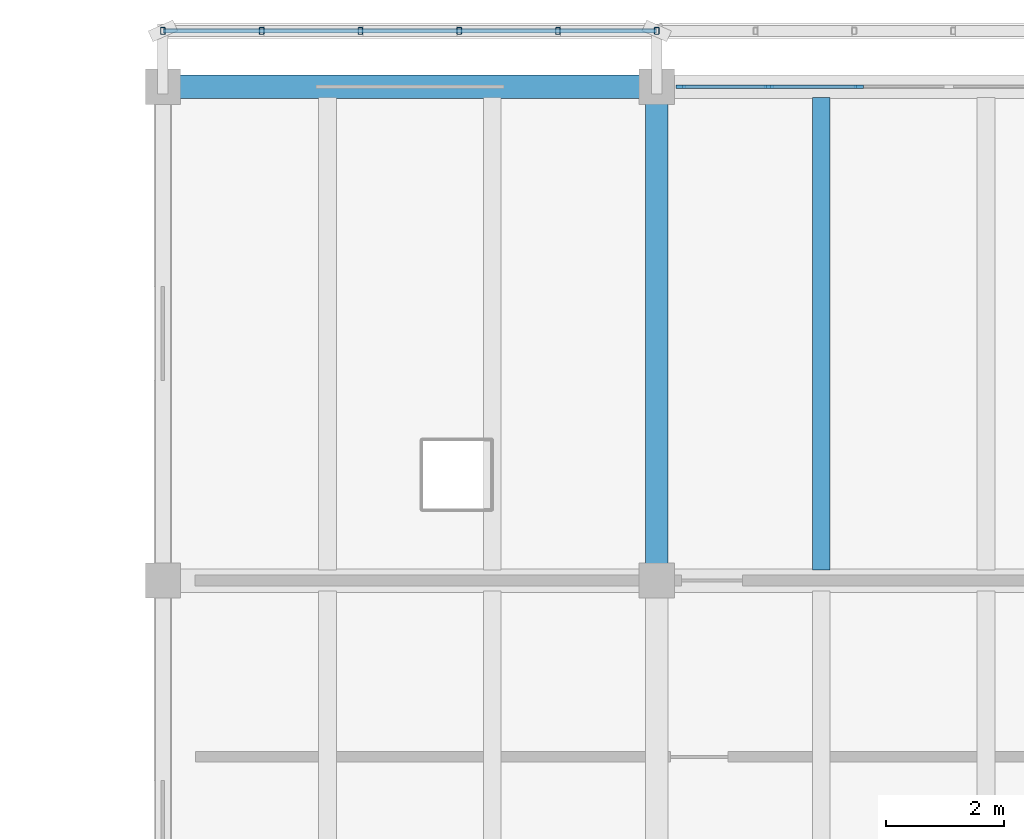
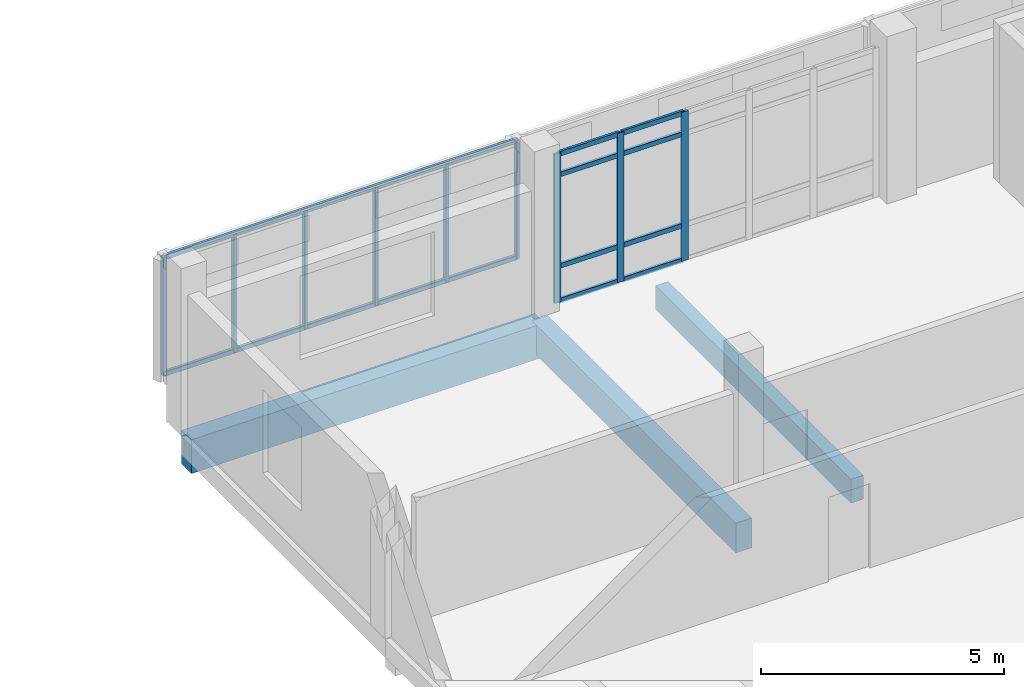
# One storey, part 49 of 137: 19 members, 3 beams, 1 element without a shape of its own.
"""IFC4 building model written with IfcOpenShell, lengths in metres."""

from ifc_helpers import new_model, si_unit, direction, frame, origin, origin_2d, place, context, subcontext, project, spatial, rectangle, hollow_rectangle, extrude, material, material_profile, profile_set, type_object, element, aggregate, save


model = new_model("IFC4")

# Units and contexts
model_context = context("Model", 3, precision=1e-05, world=origin(), true_north=direction((0.0, 1.0)))
body_context = subcontext(model_context, "Body", "Model", "MODEL_VIEW")
ifc_project = project(units=[si_unit("LENGTHUNIT", "METRE"), si_unit("AREAUNIT", "SQUARE_METRE"), si_unit("VOLUMEUNIT", "CUBIC_METRE"), si_unit("PLANEANGLEUNIT", "RADIAN"), si_unit("MASSUNIT", "GRAM", prefix="KILO")], contexts=[model_context])

# Site, building, storey
site_placement = place(None, origin())
site = spatial("IfcSite", under=ifc_project, at=site_placement, CompositionType="ELEMENT")
building_placement = place(site_placement, origin())
building = spatial("IfcBuilding", under=site, at=building_placement, Name="Cinderway Yard Community Centre", CompositionType="ELEMENT")
storey_placement = place(building_placement, frame((0.0, 0.0, 4.800048828125)))
storey = spatial("IfcBuildingStorey", under=building, at=storey_placement, Name="L01", CompositionType="ELEMENT", Elevation=4.800048828125)

# Curtain wall, members
ifc_material_1 = material(Name="Aluminium 6063-T6", Category="aluminium")
curtain_wall_type = type_object("IfcCurtainWallType", Name="ENV-CW-TYPE-26", PredefinedType="USERDEFINED", material=ifc_material_1)
curtain_wall_placement = place(storey_placement, origin())
curtain_wall = element("IfcCurtainWall", 1, at=curtain_wall_placement, inside=storey, type_object=curtain_wall_type, Name="V4 Street Curtain Wall ENV-CW-L01-ST-0123", ObjectType="GLAZED CURTAIN WALL", PredefinedType="USERDEFINED")
ifc_material_profile_1 = material_profile(ifc_material_1, rectangle(XDim=0.06005859375, YDim=0.159912109375, at=origin_2d()), Name="Aluminium 6063-T6")
ifc_profile_set_1 = profile_set([ifc_material_profile_1], Name="Aluminium 6063-T6")
member_type_1 = type_object("IfcMemberType", Name="ENV-CW-MULL-150", PredefinedType="MULLION", material=ifc_profile_set_1)
member_1_placement = place(storey_placement, frame((50.409912109375, 115.199951171875, 0.0), z_axis=(0.0, 0.0, 1.0), x_axis=(0.0, 1.0, 0.0)))
member_1 = element("IfcMember", 2, at=member_1_placement, type_object=member_type_1, Name="CW-26 mullion 1", PredefinedType="MULLION", context=body_context, shape_type="SweptSolid", body=[
    extrude(rectangle(XDim=0.06005859375, YDim=0.159912109375, at=origin_2d()), origin(), (0.0, 0.0, 1.0), 3.75),
])
member_2_placement = place(storey_placement, frame((51.907958984375, 115.199951171875, 0.0), z_axis=(0.0, 0.0, 1.0), x_axis=(0.0, 1.0, 0.0)))
member_2 = element("IfcMember", 3, at=member_2_placement, type_object=member_type_1, Name="CW-26 mullion 2", PredefinedType="MULLION", context=body_context, shape_type="SweptSolid", body=[
    extrude(rectangle(XDim=0.06005859375, YDim=0.159912109375, at=origin_2d()), origin(), (0.0, 0.0, 1.0), 3.75),
])
member_3_placement = place(storey_placement, frame((53.43603515625, 115.199951171875, 0.0), z_axis=(0.0, 0.0, 1.0), x_axis=(0.0, 1.0, 0.0)))
member_3 = element("IfcMember", 4, at=member_3_placement, type_object=member_type_1, Name="CW-26 mullion 3", PredefinedType="MULLION", context=body_context, shape_type="SweptSolid", body=[
    extrude(rectangle(XDim=0.06005859375, YDim=0.159912109375, at=origin_2d()), origin(), (0.0, 0.0, 1.0), 3.75),
])
ifc_material_profile_2 = material_profile(ifc_material_1, rectangle(XDim=0.06005859375, YDim=0.1201171875, at=origin_2d()), Name="Aluminium 6063-T6")
ifc_profile_set_2 = profile_set([ifc_material_profile_2], Name="Aluminium 6063-T6")
member_type_2 = type_object("IfcMemberType", Name="ENV-CW-TRAN-110", PredefinedType="USERDEFINED", material=ifc_profile_set_2)
member_4_placement = place(storey_placement, frame((50.43994140625, 115.199951171875, 0.030029296875), z_axis=(1.0, 0.0, 0.0), x_axis=(0.0, 1.0, 0.0)))
member_4 = element("IfcMember", 5, at=member_4_placement, type_object=member_type_2, Name="CW-26 transom 1.1", ObjectType="TRANSOM", PredefinedType="USERDEFINED", context=body_context, shape_type="SweptSolid", body=[
    extrude(rectangle(XDim=0.06005859375, YDim=0.1201171875, at=origin_2d()), origin(), (0.0, 0.0, 1.0), 1.43798828125),
])
member_5_placement = place(storey_placement, frame((50.43994140625, 115.199951171875, 0.89990234375), z_axis=(1.0, 0.0, 0.0), x_axis=(0.0, 1.0, 0.0)))
member_5 = element("IfcMember", 6, at=member_5_placement, type_object=member_type_2, Name="CW-26 transom 1.2", ObjectType="TRANSOM", PredefinedType="USERDEFINED", context=body_context, shape_type="SweptSolid", body=[
    extrude(rectangle(XDim=0.06005859375, YDim=0.1201171875, at=origin_2d()), origin(), (0.0, 0.0, 1.0), 1.43798828125),
])
member_6_placement = place(storey_placement, frame((50.43994140625, 115.199951171875, 3.199951171875), z_axis=(1.0, 0.0, 0.0), x_axis=(0.0, 1.0, 0.0)))
member_6 = element("IfcMember", 7, at=member_6_placement, type_object=member_type_2, Name="CW-26 transom 1.3", ObjectType="TRANSOM", PredefinedType="USERDEFINED", context=body_context, shape_type="SweptSolid", body=[
    extrude(rectangle(XDim=0.06005859375, YDim=0.1201171875, at=origin_2d()), origin(), (0.0, 0.0, 1.0), 1.43798828125),
])
member_7_placement = place(storey_placement, frame((50.43994140625, 115.199951171875, 3.719970703125), z_axis=(1.0, 0.0, 0.0), x_axis=(0.0, 1.0, 0.0)))
member_7 = element("IfcMember", 8, at=member_7_placement, type_object=member_type_2, Name="CW-26 transom 1.4", ObjectType="TRANSOM", PredefinedType="USERDEFINED", context=body_context, shape_type="SweptSolid", body=[
    extrude(rectangle(XDim=0.06005859375, YDim=0.1201171875, at=origin_2d()), origin(), (0.0, 0.0, 1.0), 1.43798828125),
])
member_8_placement = place(storey_placement, frame((51.93798828125, 115.199951171875, 0.030029296875), z_axis=(1.0, 0.0, 0.0), x_axis=(0.0, 1.0, 0.0)))
member_8 = element("IfcMember", 9, at=member_8_placement, type_object=member_type_2, Name="CW-26 transom 2.1", ObjectType="TRANSOM", PredefinedType="USERDEFINED", context=body_context, shape_type="SweptSolid", body=[
    extrude(rectangle(XDim=0.06005859375, YDim=0.1201171875, at=origin_2d()), origin(), (0.0, 0.0, 1.0), 1.468017578125),
])
member_9_placement = place(storey_placement, frame((51.93798828125, 115.199951171875, 0.89990234375), z_axis=(1.0, 0.0, 0.0), x_axis=(0.0, 1.0, 0.0)))
member_9 = element("IfcMember", 10, at=member_9_placement, type_object=member_type_2, Name="CW-26 transom 2.2", ObjectType="TRANSOM", PredefinedType="USERDEFINED", context=body_context, shape_type="SweptSolid", body=[
    extrude(rectangle(XDim=0.06005859375, YDim=0.1201171875, at=origin_2d()), origin(), (0.0, 0.0, 1.0), 1.468017578125),
])
member_10_placement = place(storey_placement, frame((51.93798828125, 115.199951171875, 3.199951171875), z_axis=(1.0, 0.0, 0.0), x_axis=(0.0, 1.0, 0.0)))
member_10 = element("IfcMember", 11, at=member_10_placement, type_object=member_type_2, Name="CW-26 transom 2.3", ObjectType="TRANSOM", PredefinedType="USERDEFINED", context=body_context, shape_type="SweptSolid", body=[
    extrude(rectangle(XDim=0.06005859375, YDim=0.1201171875, at=origin_2d()), origin(), (0.0, 0.0, 1.0), 1.468017578125),
])
member_11_placement = place(storey_placement, frame((51.93798828125, 115.199951171875, 3.719970703125), z_axis=(1.0, 0.0, 0.0), x_axis=(0.0, 1.0, 0.0)))
member_11 = element("IfcMember", 12, at=member_11_placement, type_object=member_type_2, Name="CW-26 transom 2.4", ObjectType="TRANSOM", PredefinedType="USERDEFINED", context=body_context, shape_type="SweptSolid", body=[
    extrude(rectangle(XDim=0.06005859375, YDim=0.1201171875, at=origin_2d()), origin(), (0.0, 0.0, 1.0), 1.468017578125),
])
aggregate(curtain_wall, [member_1, member_2, member_3, member_4, member_5, member_6, member_7, member_8, member_9, member_10, member_11])

# Members
ifc_material_2 = material(Name="Steel S355", Category="steel")
ifc_material_profile_3 = material_profile(ifc_material_2, hollow_rectangle(XDim=0.080078125, YDim=0.1201171875, WallThickness=0.00634765625, InnerFilletRadius=0.00634765625, OuterFilletRadius=0.0126953125, at=origin_2d()), Name="Steel S355")
ifc_profile_set_3 = profile_set([ifc_material_profile_3], Name="Steel S355")
member_type_3 = type_object("IfcMemberType", Name="ENV-MEM-SCREEN-RAIL-120", PredefinedType="STRINGER", material=ifc_profile_set_3)
for number, where, z_axis, x_axis, name in (
    (13, (41.60009765625, 116.14990234375, 0.7099609375), (1.0, 0.0, 0.0), (0.0, 1.0, 0.0), "Screen support rail 0001-BOT"),
    (14, (41.60009765625, 116.14990234375, 3.639892578125), (1.0, 0.0, 0.0), (0.0, 1.0, 0.0), "Screen support rail 0002-TOP"),
):
    element("IfcMember", number, at=place(storey_placement, frame(where, z_axis=z_axis, x_axis=x_axis)), inside=storey, type_object=member_type_3, Name=name, PredefinedType="STRINGER", context=body_context, shape_type="SweptSolid", body=[
        extrude(hollow_rectangle(XDim=0.080078125, YDim=0.1201171875, WallThickness=0.00634765625, InnerFilletRadius=0.00634765625, OuterFilletRadius=0.0126953125, at=origin_2d()), origin(), (0.0, 0.0, 1.0), 8.39990234375),
    ])
for number, where, z_axis, x_axis, name in (
    (15, (41.60009765625, 116.14990234375, 0.68994140625), (0.0, 0.0, 1.0), (1.0, 0.0, 0.0), "Screen vertical mullion 0003"),
    (16, (43.280029296875, 116.14990234375, 0.68994140625), (0.0, 0.0, 1.0), (1.0, 0.0, 0.0), "Screen vertical mullion 0004"),
    (17, (44.9599609375, 116.14990234375, 0.68994140625), (0.0, 0.0, 1.0), (1.0, 0.0, 0.0), "Screen vertical mullion 0005"),
    (18, (46.639892578125, 116.14990234375, 0.68994140625), (0.0, 0.0, 1.0), (1.0, 0.0, 0.0), "Screen vertical mullion 0006"),
    (19, (48.320068359375, 116.14990234375, 0.68994140625), (0.0, 0.0, 1.0), (1.0, 0.0, 0.0), "Screen vertical mullion 0007"),
    (20, (50.0, 116.14990234375, 0.68994140625), (0.0, 0.0, 1.0), (1.0, 0.0, 0.0), "Screen vertical mullion 0008"),
):
    element("IfcMember", number, at=place(storey_placement, frame(where, z_axis=z_axis, x_axis=x_axis)), inside=storey, type_object=member_type_3, Name=name, PredefinedType="STRINGER", context=body_context, shape_type="SweptSolid", body=[
        extrude(hollow_rectangle(XDim=0.080078125, YDim=0.1201171875, WallThickness=0.00634765625, InnerFilletRadius=0.00634765625, OuterFilletRadius=0.0126953125, at=origin_2d()), origin(), (0.0, 0.0, 1.0), 2.969970703125),
    ])

# Beams
ifc_material_3 = material(Name="Concrete C35/45", Category="concrete")
ifc_material_profile_4 = material_profile(ifc_material_3, rectangle(XDim=0.300048828125, YDim=0.60009765625, at=origin_2d()), Name="Concrete C35/45")
ifc_profile_set_4 = profile_set([ifc_material_profile_4], Name="Concrete C35/45")
beam_type_1 = type_object("IfcBeamType", Name="STR-BM-RC300X600", PredefinedType="JOIST", material=ifc_profile_set_4)
beam_1_placement = place(storey_placement, frame((52.800048828125, 106.98193359375, -0.56005859375), z_axis=(0.0, 1.0, 0.0), x_axis=(-1.0, 0.0, 0.0)))
element("IfcBeam", 21, at=beam_1_placement, inside=storey, type_object=beam_type_1, Name="Secondary joist STR-BM-L01-BJ02-0269", PredefinedType="JOIST", context=body_context, shape_type="SweptSolid", body=[
    extrude(rectangle(XDim=0.300048828125, YDim=0.60009765625, at=origin_2d()), origin(), (0.0, 0.0, 1.0), 8.0361328125),
])
ifc_material_profile_5 = material_profile(ifc_material_3, rectangle(XDim=0.3798828125, YDim=0.75, at=origin_2d()), Name="Concrete C35/45")
ifc_profile_set_5 = profile_set([ifc_material_profile_5], Name="Concrete C35/45")
beam_type_2 = type_object("IfcBeamType", Name="STR-BM-RC380X750", PredefinedType="BEAM", material=ifc_profile_set_5)
beam_2_placement = place(storey_placement, frame((50.0, 106.800048828125, -0.635009765625), z_axis=(0.0, 1.0, 0.0), x_axis=(-1.0, 0.0, 0.0)))
element("IfcBeam", 22, at=beam_2_placement, inside=storey, type_object=beam_type_2, Name="Transverse girder STR-BM-L01-BG06-0225", PredefinedType="BEAM", context=body_context, shape_type="SweptSolid", body=[
    extrude(rectangle(XDim=0.3798828125, YDim=0.75, at=origin_2d()), origin(), (0.0, 0.0, 1.0), 8.39990234375),
])
ifc_material_4 = material(Name="Concrete C40/50", Category="concrete")
ifc_material_profile_6 = material_profile(ifc_material_4, rectangle(XDim=0.39990234375, YDim=0.85009765625, at=origin_2d()), Name="Concrete C40/50")
ifc_profile_set_6 = profile_set([ifc_material_profile_6], Name="Concrete C40/50")
beam_type_3 = type_object("IfcBeamType", Name="STR-BM-RC400X850", PredefinedType="BEAM", material=ifc_profile_set_6)
beam_3_placement = place(storey_placement, frame((41.60009765625, 115.199951171875, -0.68505859375), z_axis=(1.0, 0.0, 0.0), x_axis=(0.0, 1.0, 0.0)))
element("IfcBeam", 23, at=beam_3_placement, inside=storey, type_object=beam_type_3, Name="Primary girder STR-BM-L01-BG04-0208", PredefinedType="BEAM", context=body_context, shape_type="SweptSolid", body=[
    extrude(rectangle(XDim=0.39990234375, YDim=0.85009765625, at=origin_2d()), origin(), (0.0, 0.0, 1.0), 8.39990234375),
])

save(model, "model.ifc")
